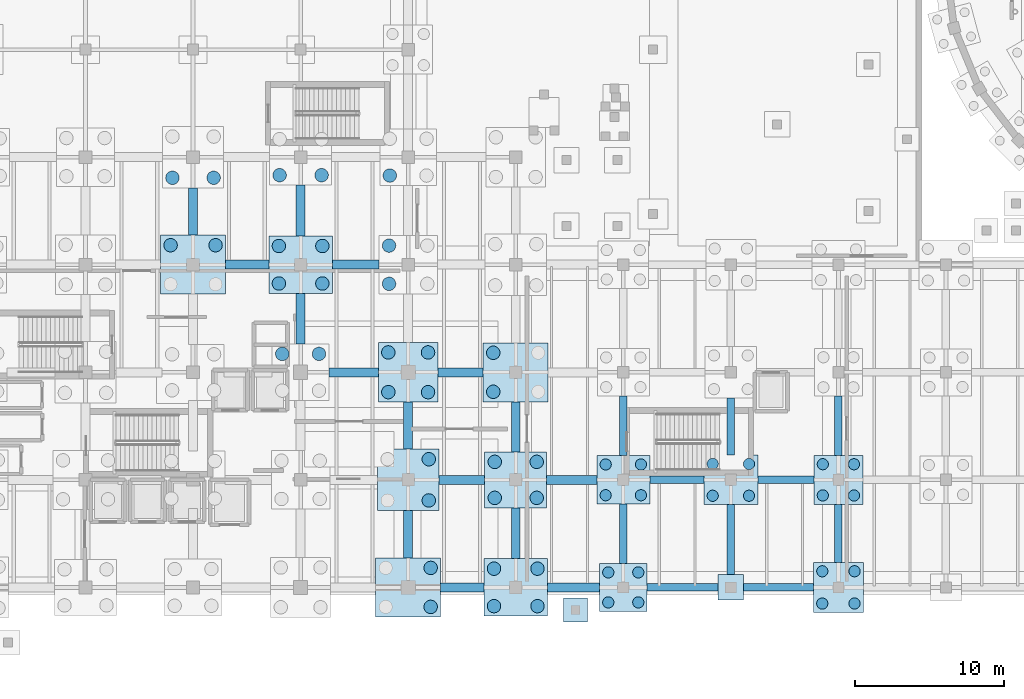
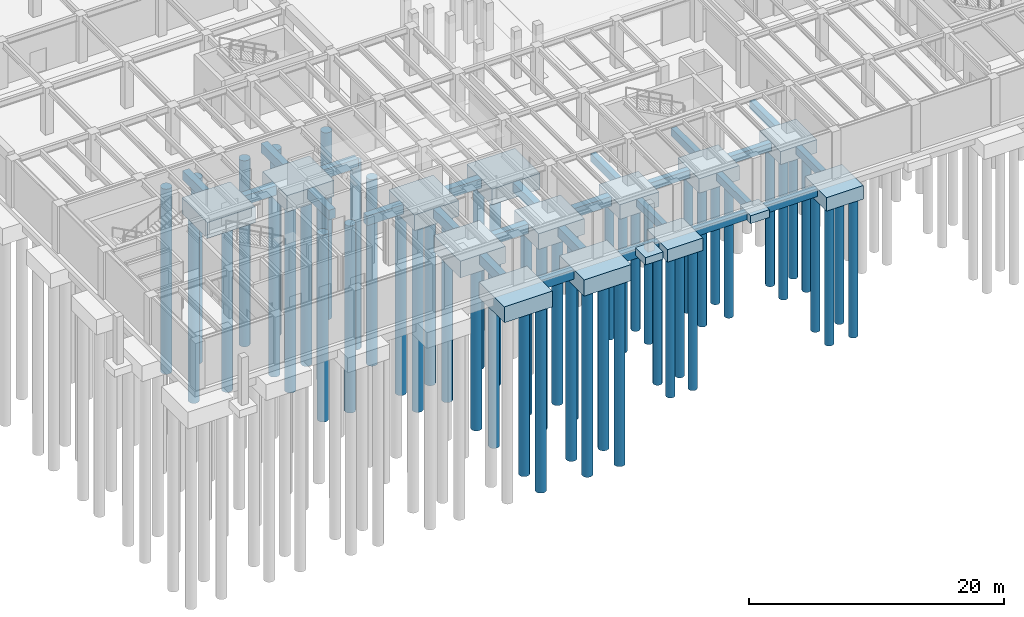
# One storey, part 2 of 26: 53 piles, 40 footings.
"""IFC4 building model written with IfcOpenShell, lengths in metres."""

from ifc_helpers import new_model, si_unit, direction, frame, origin, origin_2d, place, context, subcontext, project, spatial, rectangle, circle, extrude, material, material_profile, profile_set, type_object, element, save


model = new_model("IFC4")

# Units and contexts
model_context = context("Model", 3, precision=1e-05, world=origin(), true_north=direction((0.0, 1.0)))
body_context = subcontext(model_context, "Body", "Model", "MODEL_VIEW")
ifc_project = project(units=[si_unit("LENGTHUNIT", "METRE"), si_unit("AREAUNIT", "SQUARE_METRE"), si_unit("VOLUMEUNIT", "CUBIC_METRE"), si_unit("PLANEANGLEUNIT", "RADIAN"), si_unit("MASSUNIT", "GRAM", prefix="KILO")], contexts=[model_context])

# Site, building, storey
site_placement = place(None, origin())
site = spatial("IfcSite", under=ifc_project, at=site_placement, CompositionType="ELEMENT")
building_placement = place(site_placement, origin())
building = spatial("IfcBuilding", under=site, at=building_placement, Name="Kandorven Conservatory and Botanical Research Centre", CompositionType="ELEMENT")
storey_placement = place(building_placement, frame((0.0, 0.0, -4.800048828125)))
storey = spatial("IfcBuildingStorey", under=building, at=storey_placement, Name="B01", CompositionType="ELEMENT", Elevation=-4.800048828125)

# Footings
ifc_material_1 = material(Name="Concrete C32/40 (M40)", Category="concrete")
ifc_material_profile_1 = material_profile(ifc_material_1, rectangle(XDim=0.60009765625, YDim=0.89990234375, at=origin_2d()))
ifc_profile_set_1 = profile_set([ifc_material_profile_1], Name="Concrete C32/40 (M40)")
footing_type_1 = type_object("IfcFootingType", Name="GroundBeam_GB-01", PredefinedType="FOOTING_BEAM", material=ifc_profile_set_1)
footing_1_placement = place(storey_placement, frame((22.574951171875, 27.60009765625, -0.949951171875), z_axis=(1.0, 0.0, 0.0), x_axis=(0.0, 1.0, 0.0)))
element("IfcFooting", 1, at=footing_1_placement, inside=storey, type_object=footing_type_1, Name="Ground tie beam GB-01 X-029", PredefinedType="FOOTING_BEAM", context=body_context, shape_type="SweptSolid", body=[
    extrude(rectangle(XDim=0.60009765625, YDim=0.89990234375, at=origin_2d()), origin(), (0.0, 0.0, 1.0), 2.900146484375),
])
footing_2_placement = place(storey_placement, frame((20.39990234375, 29.574951171875, -0.949951171875), z_axis=(0.0, 1.0, 0.0), x_axis=(-1.0, 0.0, 0.0)))
element("IfcFooting", 2, at=footing_2_placement, inside=storey, type_object=footing_type_1, Name="Ground tie beam GB-01 Y-030", PredefinedType="FOOTING_BEAM", context=body_context, shape_type="SweptSolid", body=[
    extrude(rectangle(XDim=0.60009765625, YDim=0.89990234375, at=origin_2d()), origin(), (0.0, 0.0, 1.0), 3.175048828125),
])
footing_3_placement = place(storey_placement, frame((29.5, 20.39990234375, -0.949951171875), z_axis=(1.0, 0.0, 0.0), x_axis=(0.0, 1.0, 0.0)))
element("IfcFooting", 3, at=footing_3_placement, inside=storey, type_object=footing_type_1, Name="Ground tie beam GB-01 X-036", PredefinedType="FOOTING_BEAM", context=body_context, shape_type="SweptSolid", body=[
    extrude(rectangle(XDim=0.60009765625, YDim=0.89990234375, at=origin_2d()), origin(), (0.0, 0.0, 1.0), 3.300048828125),
])
footing_4_placement = place(storey_placement, frame((27.60009765625, 22.300048828125, -0.949951171875), z_axis=(0.0, 1.0, 0.0), x_axis=(-1.0, 0.0, 0.0)))
element("IfcFooting", 4, at=footing_4_placement, inside=storey, type_object=footing_type_1, Name="Ground tie beam GB-01 Y-037", PredefinedType="FOOTING_BEAM", context=body_context, shape_type="SweptSolid", body=[
    extrude(rectangle(XDim=0.60009765625, YDim=0.89990234375, at=origin_2d()), origin(), (0.0, 0.0, 1.0), 3.375),
])
footing_5_placement = place(storey_placement, frame((29.72509765625, 27.60009765625, -0.949951171875), z_axis=(1.0, 0.0, 0.0), x_axis=(0.0, 1.0, 0.0)))
element("IfcFooting", 5, at=footing_5_placement, inside=storey, type_object=footing_type_1, Name="Ground tie beam GB-01 X-038", PredefinedType="FOOTING_BEAM", context=body_context, shape_type="SweptSolid", body=[
    extrude(rectangle(XDim=0.60009765625, YDim=0.89990234375, at=origin_2d()), origin(), (0.0, 0.0, 1.0), 3.125),
])
footing_6_placement = place(storey_placement, frame((27.60009765625, 29.52490234375, -0.949951171875), z_axis=(0.0, 1.0, 0.0), x_axis=(-1.0, 0.0, 0.0)))
element("IfcFooting", 6, at=footing_6_placement, inside=storey, type_object=footing_type_1, Name="Ground tie beam GB-01 Y-039", PredefinedType="FOOTING_BEAM", context=body_context, shape_type="SweptSolid", body=[
    extrude(rectangle(XDim=0.60009765625, YDim=0.89990234375, at=origin_2d()), origin(), (0.0, 0.0, 1.0), 3.400146484375),
])
footing_7_placement = place(storey_placement, frame((36.97509765625, 6.0, -0.949951171875), z_axis=(1.0, 0.0, 0.0), x_axis=(0.0, 1.0, 0.0)))
element("IfcFooting", 7, at=footing_7_placement, inside=storey, type_object=footing_type_1, Name="Ground tie beam GB-01 X-041", PredefinedType="FOOTING_BEAM", context=body_context, shape_type="SweptSolid", body=[
    extrude(rectangle(XDim=0.60009765625, YDim=0.89990234375, at=origin_2d()), origin(), (0.0, 0.0, 1.0), 2.89990234375),
])
footing_8_placement = place(storey_placement, frame((34.800048828125, 7.97509765625, -0.949951171875), z_axis=(0.0, 1.0, 0.0), x_axis=(-1.0, 0.0, 0.0)))
element("IfcFooting", 8, at=footing_8_placement, inside=storey, type_object=footing_type_1, Name="Ground tie beam GB-01 Y-042", PredefinedType="FOOTING_BEAM", context=body_context, shape_type="SweptSolid", body=[
    extrude(rectangle(XDim=0.60009765625, YDim=0.89990234375, at=origin_2d()), origin(), (0.0, 0.0, 1.0), 3.1748046875),
])
footing_9_placement = place(storey_placement, frame((36.85009765625, 13.199951171875, -0.949951171875), z_axis=(1.0, 0.0, 0.0), x_axis=(0.0, 1.0, 0.0)))
element("IfcFooting", 9, at=footing_9_placement, inside=storey, type_object=footing_type_1, Name="Ground tie beam GB-01 X-043", PredefinedType="FOOTING_BEAM", context=body_context, shape_type="SweptSolid", body=[
    extrude(rectangle(XDim=0.60009765625, YDim=0.89990234375, at=origin_2d()), origin(), (0.0, 0.0, 1.0), 3.074951171875),
])
footing_10_placement = place(storey_placement, frame((34.800048828125, 15.25, -0.949951171875), z_axis=(0.0, 1.0, 0.0), x_axis=(-1.0, 0.0, 0.0)))
element("IfcFooting", 10, at=footing_10_placement, inside=storey, type_object=footing_type_1, Name="Ground tie beam GB-01 Y-044", PredefinedType="FOOTING_BEAM", context=body_context, shape_type="SweptSolid", body=[
    extrude(rectangle(XDim=0.60009765625, YDim=0.89990234375, at=origin_2d()), origin(), (0.0, 0.0, 1.0), 3.14990234375),
])
footing_11_placement = place(storey_placement, frame((36.800048828125, 20.39990234375, -0.949951171875), z_axis=(1.0, 0.0, 0.0), x_axis=(0.0, 1.0, 0.0)))
element("IfcFooting", 11, at=footing_11_placement, inside=storey, type_object=footing_type_1, Name="Ground tie beam GB-01 X-045", PredefinedType="FOOTING_BEAM", context=body_context, shape_type="SweptSolid", body=[
    extrude(rectangle(XDim=0.60009765625, YDim=0.89990234375, at=origin_2d()), origin(), (0.0, 0.0, 1.0), 3.02490234375),
])
footing_12_placement = place(storey_placement, frame((44.125, 6.0, -0.949951171875), z_axis=(1.0, 0.0, 0.0), x_axis=(0.0, 1.0, 0.0)))
element("IfcFooting", 12, at=footing_12_placement, inside=storey, type_object=footing_type_1, Name="Ground tie beam GB-01 X-054", PredefinedType="FOOTING_BEAM", context=body_context, shape_type="SweptSolid", body=[
    extrude(rectangle(XDim=0.60009765625, YDim=0.89990234375, at=origin_2d()), origin(), (0.0, 0.0, 1.0), 3.47509765625),
])
footing_13_placement = place(storey_placement, frame((42.0, 7.925048828125, -0.949951171875), z_axis=(0.0, 1.0, 0.0), x_axis=(-1.0, 0.0, 0.0)))
element("IfcFooting", 13, at=footing_13_placement, inside=storey, type_object=footing_type_1, Name="Ground tie beam GB-01 Y-055", PredefinedType="FOOTING_BEAM", context=body_context, shape_type="SweptSolid", body=[
    extrude(rectangle(XDim=0.60009765625, YDim=0.89990234375, at=origin_2d()), origin(), (0.0, 0.0, 1.0), 3.39990234375),
])
for number, where, z_axis, x_axis, name in (
    (14, (44.074951171875, 13.199951171875, -0.949951171875), (1.0, 0.0, 0.0), (0.0, 1.0, 0.0), "Ground tie beam GB-01 X-056"),
    (15, (42.0, 15.074951171875, -0.949951171875), (0.0, 1.0, 0.0), (-1.0, 0.0, 0.0), "Ground tie beam GB-01 Y-057"),
):
    element("IfcFooting", number, at=place(storey_placement, frame(where, z_axis=z_axis, x_axis=x_axis)), inside=storey, type_object=footing_type_1, Name=name, PredefinedType="FOOTING_BEAM", context=body_context, shape_type="SweptSolid", body=[
        extrude(rectangle(XDim=0.60009765625, YDim=0.89990234375, at=origin_2d()), origin(), (0.0, 0.0, 1.0), 3.35009765625),
    ])
ifc_material_2 = material(Name="Concrete C32/40 (M40)", Category="concrete")
ifc_material_profile_2 = material_profile(ifc_material_2, rectangle(XDim=0.5, YDim=0.75, at=origin_2d()))
ifc_profile_set_2 = profile_set([ifc_material_profile_2], Name="Concrete C32/40 (M40)")
footing_type_2 = type_object("IfcFootingType", Name="GroundBeam_GB-02", PredefinedType="FOOTING_BEAM", material=ifc_profile_set_2)
footing_14_placement = place(storey_placement, frame((50.800048828125, 6.0, -0.875), z_axis=(1.0, 0.0, 0.0), x_axis=(0.0, 1.0, 0.0)))
element("IfcFooting", 16, at=footing_14_placement, inside=storey, type_object=footing_type_2, Name="Ground tie beam GB-02 X-062", PredefinedType="FOOTING_BEAM", context=body_context, shape_type="SweptSolid", body=[
    extrude(rectangle(XDim=0.5, YDim=0.75, at=origin_2d()), origin(), (0.0, 0.0, 1.0), 4.75),
])
footing_15_placement = place(storey_placement, frame((49.199951171875, 7.60009765625, -0.875), z_axis=(0.0, 1.0, 0.0), x_axis=(-1.0, 0.0, 0.0)))
element("IfcFooting", 17, at=footing_15_placement, inside=storey, type_object=footing_type_2, Name="Ground tie beam GB-02 Y-063", PredefinedType="FOOTING_BEAM", context=body_context, shape_type="SweptSolid", body=[
    extrude(rectangle(XDim=0.5, YDim=0.75, at=origin_2d()), origin(), (0.0, 0.0, 1.0), 3.974853515625),
])
footing_16_placement = place(storey_placement, frame((50.97509765625, 13.199951171875, -0.875), z_axis=(1.0, 0.0, 0.0), x_axis=(0.0, 1.0, 0.0)))
element("IfcFooting", 18, at=footing_16_placement, inside=storey, type_object=footing_type_2, Name="Ground tie beam GB-02 X-064", PredefinedType="FOOTING_BEAM", context=body_context, shape_type="SweptSolid", body=[
    extrude(rectangle(XDim=0.5, YDim=0.75, at=origin_2d()), origin(), (0.0, 0.0, 1.0), 3.614990234375),
])
footing_17_placement = place(storey_placement, frame((49.199951171875, 14.824951171875, -0.875), z_axis=(0.0, 1.0, 0.0), x_axis=(-1.0, 0.0, 0.0)))
element("IfcFooting", 19, at=footing_17_placement, inside=storey, type_object=footing_type_2, Name="Ground tie beam GB-02 Y-065", PredefinedType="FOOTING_BEAM", context=body_context, shape_type="SweptSolid", body=[
    extrude(rectangle(XDim=0.5, YDim=0.75, at=origin_2d()), origin(), (0.0, 0.0, 1.0), 3.985107421875),
])
footing_18_placement = place(storey_placement, frame((57.25, 6.0, -0.875), z_axis=(1.0, 0.0, 0.0), x_axis=(0.0, 1.0, 0.0)))
element("IfcFooting", 20, at=footing_18_placement, inside=storey, type_object=footing_type_2, Name="Ground tie beam GB-02 X-070", PredefinedType="FOOTING_BEAM", context=body_context, shape_type="SweptSolid", body=[
    extrude(rectangle(XDim=0.5, YDim=0.75, at=origin_2d()), origin(), (0.0, 0.0, 1.0), 4.675048828125),
])
footing_19_placement = place(storey_placement, frame((56.39990234375, 6.85009765625, -0.875), z_axis=(0.0, 1.0, 0.0), x_axis=(-1.0, 0.0, 0.0)))
element("IfcFooting", 21, at=footing_19_placement, inside=storey, type_object=footing_type_2, Name="Ground tie beam GB-02 Y-071", PredefinedType="FOOTING_BEAM", context=body_context, shape_type="SweptSolid", body=[
    extrude(rectangle(XDim=0.5, YDim=0.75, at=origin_2d()), origin(), (0.0, 0.0, 1.0), 4.68994140625),
])
footing_20_placement = place(storey_placement, frame((58.2099609375, 13.199951171875, -0.875), z_axis=(1.0, 0.0, 0.0), x_axis=(0.0, 1.0, 0.0)))
element("IfcFooting", 22, at=footing_20_placement, inside=storey, type_object=footing_type_2, Name="Ground tie beam GB-02 X-072", PredefinedType="FOOTING_BEAM", context=body_context, shape_type="SweptSolid", body=[
    extrude(rectangle(XDim=0.5, YDim=0.75, at=origin_2d()), origin(), (0.0, 0.0, 1.0), 3.75),
])
footing_21_placement = place(storey_placement, frame((56.39990234375, 14.860107421875, -0.875), z_axis=(0.0, 1.0, 0.0), x_axis=(-1.0, 0.0, 0.0)))
element("IfcFooting", 23, at=footing_21_placement, inside=storey, type_object=footing_type_2, Name="Ground tie beam GB-02 Y-073", PredefinedType="FOOTING_BEAM", context=body_context, shape_type="SweptSolid", body=[
    extrude(rectangle(XDim=0.5, YDim=0.75, at=origin_2d()), origin(), (0.0, 0.0, 1.0), 3.81494140625),
])
footing_22_placement = place(storey_placement, frame((63.60009765625, 7.675048828125, -0.875), z_axis=(0.0, 1.0, 0.0), x_axis=(-1.0, 0.0, 0.0)))
element("IfcFooting", 24, at=footing_22_placement, inside=storey, type_object=footing_type_2, Name="Ground tie beam GB-02 Y-078", PredefinedType="FOOTING_BEAM", context=body_context, shape_type="SweptSolid", body=[
    extrude(rectangle(XDim=0.5, YDim=0.75, at=origin_2d()), origin(), (0.0, 0.0, 1.0), 3.885009765625),
])
footing_23_placement = place(storey_placement, frame((63.60009765625, 14.840087890625, -0.875), z_axis=(0.0, 1.0, 0.0), x_axis=(-1.0, 0.0, 0.0)))
element("IfcFooting", 25, at=footing_23_placement, inside=storey, type_object=footing_type_2, Name="Ground tie beam GB-02 Y-080", PredefinedType="FOOTING_BEAM", context=body_context, shape_type="SweptSolid", body=[
    extrude(rectangle(XDim=0.5, YDim=0.75, at=origin_2d()), origin(), (0.0, 0.0, 1.0), 3.9599609375),
])
ifc_material_3 = material(Name="Concrete C32/40 (M40)", Category="concrete")
footing_type_3 = type_object("IfcFootingType", Name="PadFooting_PF-03", PredefinedType="PAD_FOOTING", material=ifc_material_3)
footing_24_placement = place(storey_placement, frame((56.39990234375, 6.0, -1.25), z_axis=(0.0, 0.0, 1.0), x_axis=(1.0, 0.0, 0.0)))
element("IfcFooting", 26, at=footing_24_placement, inside=storey, type_object=footing_type_3, Name="Pad footing PF-03 at V-3-1", PredefinedType="PAD_FOOTING", context=body_context, shape_type="SweptSolid", body=[
    extrude(rectangle(XDim=1.699951171875, YDim=1.699951171875, at=origin_2d()), origin(), (0.0, 0.0, 1.0), 0.75),
])
ifc_material_4 = material(Name="Concrete C32/40 (M40)", Category="concrete")
footing_type_4 = type_object("IfcFootingType", Name="PadFooting_PF-04", PredefinedType="PAD_FOOTING", material=ifc_material_4)
footing_25_placement = place(storey_placement, frame((46.0, 4.5, -0.69970703125), z_axis=(0.0, 0.0, 1.0), x_axis=(1.0, 0.0, 0.0)))
element("IfcFooting", 27, at=footing_25_placement, inside=storey, type_object=footing_type_4, Name="Grade apron pad footing SLAB-EXT-SOUTH-PLAZA-2", PredefinedType="PAD_FOOTING", context=body_context, shape_type="SweptSolid", body=[
    extrude(rectangle(XDim=1.60009765625, YDim=1.60009765625, at=origin_2d()), origin(), (0.0, 0.0, 1.0), 0.699951171875),
])
ifc_material_5 = material(Name="Concrete C32/40 (M40)", Category="concrete")
footing_type_5 = type_object("IfcFootingType", Name="PileCap_PC-01", PredefinedType="PILE_CAP", material=ifc_material_5)
footing_26_placement = place(storey_placement, frame((34.800048828125, 13.199951171875, -2.10009765625), z_axis=(0.0, 0.0, 1.0), x_axis=(1.0, 0.0, 0.0)))
element("IfcFooting", 28, at=footing_26_placement, inside=storey, type_object=footing_type_5, Name="Pile cap PC-01 at T-5-2", PredefinedType="PILE_CAP", context=body_context, shape_type="SweptSolid", body=[
    extrude(rectangle(XDim=4.10009765625, YDim=4.10009765625, at=origin_2d()), origin(), (0.0, 0.0, 1.0), 1.60009765625),
])
ifc_material_6 = material(Name="Concrete C32/40 (M40)", Category="concrete")
footing_type_6 = type_object("IfcFootingType", Name="PileCap_PC-02", PredefinedType="PILE_CAP", material=ifc_material_6)
footing_27_placement = place(storey_placement, frame((34.800048828125, 20.39990234375, -2.0), z_axis=(0.0, 0.0, 1.0), x_axis=(1.0, 0.0, 0.0)))
element("IfcFooting", 29, at=footing_27_placement, inside=storey, type_object=footing_type_6, Name="Pile cap PC-02 at T-5-3", PredefinedType="PILE_CAP", context=body_context, shape_type="SweptSolid", body=[
    extrude(rectangle(XDim=4.0, YDim=4.0, at=origin_2d()), origin(), (0.0, 0.0, 1.0), 1.5),
])
ifc_material_7 = material(Name="Concrete C32/40 (M40)", Category="concrete")
footing_type_7 = type_object("IfcFootingType", Name="PileCap_PC-06", PredefinedType="PILE_CAP", material=ifc_material_7)
footing_28_placement = place(storey_placement, frame((63.60009765625, 6.0, -1.7998046875), z_axis=(0.0, 0.0, 1.0), x_axis=(1.0, 0.0, 0.0)))
element("IfcFooting", 30, at=footing_28_placement, inside=storey, type_object=footing_type_7, Name="Pile cap PC-06 at V-4-1", PredefinedType="PILE_CAP", context=body_context, shape_type="SweptSolid", body=[
    extrude(rectangle(XDim=3.35009765625, YDim=3.35009765625, at=origin_2d()), origin(), (0.0, 0.0, 1.0), 1.300048828125),
])
ifc_material_8 = material(Name="Concrete C32/40 (M40)", Category="concrete")
footing_type_8 = type_object("IfcFootingType", Name="PileCap_PC-07", PredefinedType="PILE_CAP", material=ifc_material_8)
footing_29_placement = place(storey_placement, frame((63.60009765625, 13.199951171875, -1.75), z_axis=(0.0, 0.0, 1.0), x_axis=(1.0, 0.0, 0.0)))
element("IfcFooting", 31, at=footing_29_placement, inside=storey, type_object=footing_type_8, Name="Pile cap PC-07 at V-4-2", PredefinedType="PILE_CAP", context=body_context, shape_type="SweptSolid", body=[
    extrude(rectangle(XDim=3.280029296875, YDim=3.280029296875, at=origin_2d()), origin(), (0.0, 0.0, 1.0), 1.25),
])
ifc_material_9 = material(Name="Concrete C32/40 (M40)", Category="concrete")
footing_type_9 = type_object("IfcFootingType", Name="PileCap_PC-08", PredefinedType="PILE_CAP", material=ifc_material_9)
footing_30_placement = place(storey_placement, frame((49.199951171875, 6.0, -1.69970703125), z_axis=(0.0, 0.0, 1.0), x_axis=(1.0, 0.0, 0.0)))
element("IfcFooting", 32, at=footing_30_placement, inside=storey, type_object=footing_type_9, Name="Pile cap PC-08 at V-2-1", PredefinedType="PILE_CAP", context=body_context, shape_type="SweptSolid", body=[
    extrude(rectangle(XDim=3.199951171875, YDim=3.199951171875, at=origin_2d()), origin(), (0.0, 0.0, 1.0), 1.199951171875),
])
ifc_material_10 = material(Name="Concrete C32/40 (M40)", Category="concrete")
footing_type_10 = type_object("IfcFootingType", Name="PileCap_PC-12", PredefinedType="PILE_CAP", material=ifc_material_10)
for number, where, z_axis, x_axis, name in (
    (33, (27.60009765625, 27.60009765625, -2.0498046875), (0.0, 0.0, 1.0), (1.0, 0.0, 0.0), "Pile cap PC-12 at T-4-4"),
    (34, (42.0, 6.0, -2.0498046875), (0.0, 0.0, 1.0), (1.0, 0.0, 0.0), "Pile cap PC-12 at T-6-1"),
):
    element("IfcFooting", number, at=place(storey_placement, frame(where, z_axis=z_axis, x_axis=x_axis)), inside=storey, type_object=footing_type_10, Name=name, PredefinedType="PILE_CAP", context=body_context, shape_type="SweptSolid", body=[
        extrude(rectangle(XDim=4.25, YDim=3.85009765625, at=origin_2d()), origin(), (0.0, 0.0, 1.0), 1.550048828125),
    ])
ifc_material_11 = material(Name="Concrete C32/40 (M40)", Category="concrete")
footing_type_11 = type_object("IfcFootingType", Name="PileCap_PC-13", PredefinedType="PILE_CAP", material=ifc_material_11)
footing_31_placement = place(storey_placement, frame((42.0, 13.199951171875, -2.0), z_axis=(0.0, 0.0, 1.0), x_axis=(1.0, 0.0, 0.0)))
element("IfcFooting", 35, at=footing_31_placement, inside=storey, type_object=footing_type_11, Name="Pile cap PC-13 at T-6-2", PredefinedType="PILE_CAP", context=body_context, shape_type="SweptSolid", body=[
    extrude(rectangle(XDim=4.14990234375, YDim=3.75, at=origin_2d()), origin(), (0.0, 0.0, 1.0), 1.5),
])
ifc_material_12 = material(Name="Concrete C32/40 (M40)", Category="concrete")
footing_type_12 = type_object("IfcFootingType", Name="PileCap_PC-14", PredefinedType="PILE_CAP", material=ifc_material_12)
footing_32_placement = place(storey_placement, frame((49.199951171875, 13.199951171875, -1.89990234375), z_axis=(0.0, 0.0, 1.0), x_axis=(1.0, 0.0, 0.0)))
element("IfcFooting", 36, at=footing_32_placement, inside=storey, type_object=footing_type_12, Name="Pile cap PC-14 at V-2-2", PredefinedType="PILE_CAP", context=body_context, shape_type="SweptSolid", body=[
    extrude(rectangle(XDim=3.550048828125, YDim=3.25, at=origin_2d()), origin(), (0.0, 0.0, 1.0), 1.39990234375),
])
ifc_material_13 = material(Name="Concrete C32/40 (M40)", Category="concrete")
footing_type_13 = type_object("IfcFootingType", Name="PileCap_PC-19", PredefinedType="PILE_CAP", material=ifc_material_13)
for number, where, z_axis, x_axis, name in (
    (37, (20.39990234375, 27.60009765625, -2.02001953125), (0.0, 0.0, 1.0), (1.0, 0.0, 0.0), "Pile cap PC-19 at T-3-4"),
    (38, (34.800048828125, 6.0, -2.02001953125), (0.0, 0.0, 1.0), (1.0, 0.0, 0.0), "Pile cap PC-19 at T-5-1"),
    (39, (42.0, 20.39990234375, -2.02001953125), (0.0, 0.0, 1.0), (1.0, 0.0, 0.0), "Pile cap PC-19 at T-6-3"),
):
    element("IfcFooting", number, at=place(storey_placement, frame(where, z_axis=z_axis, x_axis=x_axis)), inside=storey, type_object=footing_type_13, Name=name, PredefinedType="PILE_CAP", context=body_context, shape_type="SweptSolid", body=[
        extrude(rectangle(XDim=4.35009765625, YDim=3.949951171875, at=origin_2d()), origin(), (0.0, 0.0, 1.0), 1.52001953125),
    ])
ifc_material_14 = material(Name="Concrete C32/40 (M40)", Category="concrete")
footing_type_14 = type_object("IfcFootingType", Name="PileCap_PC-20", PredefinedType="PILE_CAP", material=ifc_material_14)
footing_33_placement = place(storey_placement, frame((56.39990234375, 13.199951171875, -1.8798828125), z_axis=(0.0, 0.0, 1.0), x_axis=(1.0, 0.0, 0.0)))
element("IfcFooting", 40, at=footing_33_placement, inside=storey, type_object=footing_type_14, Name="Pile cap PC-20 at V-3-2", PredefinedType="PILE_CAP", context=body_context, shape_type="SweptSolid", body=[
    extrude(rectangle(XDim=3.6201171875, YDim=3.320068359375, at=origin_2d()), origin(), (0.0, 0.0, 1.0), 1.3798828125),
])

# Piles
ifc_material_15 = material(Name="Concrete C32/40 (M40)", Category="concrete")
ifc_material_profile_3 = material_profile(ifc_material_15, circle(Radius=0.375, at=origin_2d()))
ifc_profile_set_3 = profile_set([ifc_material_profile_3], Name="Concrete C32/40 (M40)")
pile_type_1 = type_object("IfcPileType", Name="Pile_PILE_D750", PredefinedType="BORED", material=ifc_profile_set_3)
for number, where, z_axis, x_axis, name in (
    (41, (48.195068359375, 4.9951171875, -1.599853515625), (0.0, 0.0, -1.0), (1.0, 0.0, 0.0), "Bored pile V-2-1-1"),
    (42, (48.195068359375, 7.0048828125, -1.599853515625), (0.0, 0.0, -1.0), (1.0, 0.0, 0.0), "Bored pile V-2-1-2"),
    (43, (50.205078125, 4.9951171875, -1.599853515625), (0.0, 0.0, -1.0), (1.0, 0.0, 0.0), "Bored pile V-2-1-3"),
    (44, (50.205078125, 7.0048828125, -1.599853515625), (0.0, 0.0, -1.0), (1.0, 0.0, 0.0), "Bored pile V-2-1-4"),
):
    element("IfcPile", number, at=place(storey_placement, frame(where, z_axis=z_axis, x_axis=x_axis)), inside=storey, type_object=pile_type_1, Name=name, PredefinedType="BORED", context=body_context, shape_type="SweptSolid", body=[
        extrude(circle(Radius=0.375, at=origin_2d()), origin(), (0.0, 0.0, 1.0), 13.39990234375),
    ])
for number, where, z_axis, x_axis, name in (
    (45, (48.02001953125, 12.169921875, -1.800048828125), (0.0, 0.0, -1.0), (1.0, 0.0, 0.0), "Bored pile V-2-2-1"),
    (46, (48.02001953125, 14.22998046875, -1.800048828125), (0.0, 0.0, -1.0), (1.0, 0.0, 0.0), "Bored pile V-2-2-2"),
    (47, (50.3798828125, 12.169921875, -1.800048828125), (0.0, 0.0, -1.0), (1.0, 0.0, 0.0), "Bored pile V-2-2-3"),
    (48, (50.3798828125, 14.22998046875, -1.800048828125), (0.0, 0.0, -1.0), (1.0, 0.0, 0.0), "Bored pile V-2-2-4"),
):
    element("IfcPile", number, at=place(storey_placement, frame(where, z_axis=z_axis, x_axis=x_axis)), inside=storey, type_object=pile_type_1, Name=name, PredefinedType="BORED", context=body_context, shape_type="SweptSolid", body=[
        extrude(circle(Radius=0.375, at=origin_2d()), origin(), (0.0, 0.0, 1.0), 13.199951171875),
    ])
for number, where, z_axis, x_axis, name in (
    (49, (55.18505859375, 12.135009765625, -1.780029296875), (0.0, 0.0, -1.0), (1.0, 0.0, 0.0), "Bored pile V-3-2-1"),
    (50, (55.18505859375, 14.264892578125, -1.780029296875), (0.0, 0.0, -1.0), (1.0, 0.0, 0.0), "Bored pile V-3-2-2"),
    (51, (57.614990234375, 12.135009765625, -1.780029296875), (0.0, 0.0, -1.0), (1.0, 0.0, 0.0), "Bored pile V-3-2-3"),
    (52, (57.614990234375, 14.264892578125, -1.780029296875), (0.0, 0.0, -1.0), (1.0, 0.0, 0.0), "Bored pile V-3-2-4"),
):
    element("IfcPile", number, at=place(storey_placement, frame(where, z_axis=z_axis, x_axis=x_axis)), inside=storey, type_object=pile_type_1, Name=name, PredefinedType="BORED", context=body_context, shape_type="SweptSolid", body=[
        extrude(circle(Radius=0.375, at=origin_2d()), origin(), (0.0, 0.0, 1.0), 13.219970703125),
    ])
for number, where, z_axis, x_axis, name in (
    (53, (62.52001953125, 4.919921875, -1.699951171875), (0.0, 0.0, -1.0), (1.0, 0.0, 0.0), "Bored pile V-4-1-1"),
    (54, (62.52001953125, 7.080078125, -1.699951171875), (0.0, 0.0, -1.0), (1.0, 0.0, 0.0), "Bored pile V-4-1-2"),
    (55, (64.679931640625, 4.919921875, -1.699951171875), (0.0, 0.0, -1.0), (1.0, 0.0, 0.0), "Bored pile V-4-1-3"),
    (56, (64.679931640625, 7.080078125, -1.699951171875), (0.0, 0.0, -1.0), (1.0, 0.0, 0.0), "Bored pile V-4-1-4"),
):
    element("IfcPile", number, at=place(storey_placement, frame(where, z_axis=z_axis, x_axis=x_axis)), inside=storey, type_object=pile_type_1, Name=name, PredefinedType="BORED", context=body_context, shape_type="SweptSolid", body=[
        extrude(circle(Radius=0.375, at=origin_2d()), origin(), (0.0, 0.0, 1.0), 13.300048828125),
    ])
for number, where, z_axis, x_axis, name in (
    (57, (62.554931640625, 12.155029296875, -1.64990234375), (0.0, 0.0, -1.0), (1.0, 0.0, 0.0), "Bored pile V-4-2-1"),
    (58, (62.554931640625, 14.2451171875, -1.64990234375), (0.0, 0.0, -1.0), (1.0, 0.0, 0.0), "Bored pile V-4-2-2"),
    (59, (64.64501953125, 12.155029296875, -1.64990234375), (0.0, 0.0, -1.0), (1.0, 0.0, 0.0), "Bored pile V-4-2-3"),
    (60, (64.64501953125, 14.2451171875, -1.64990234375), (0.0, 0.0, -1.0), (1.0, 0.0, 0.0), "Bored pile V-4-2-4"),
):
    element("IfcPile", number, at=place(storey_placement, frame(where, z_axis=z_axis, x_axis=x_axis)), inside=storey, type_object=pile_type_1, Name=name, PredefinedType="BORED", context=body_context, shape_type="SweptSolid", body=[
        extrude(circle(Radius=0.375, at=origin_2d()), origin(), (0.0, 0.0, 1.0), 13.35009765625),
    ])
ifc_material_16 = material(Name="Concrete C32/40 (M40)", Category="concrete")
ifc_material_profile_4 = material_profile(ifc_material_16, circle(Radius=0.449951171875, at=origin_2d()))
ifc_profile_set_4 = profile_set([ifc_material_profile_4], Name="Concrete C32/40 (M40)")
pile_type_2 = type_object("IfcPileType", Name="Pile_PILE_D900", PredefinedType="BORED", material=ifc_profile_set_4)
for number, where, z_axis, x_axis, name in (
    (61, (18.89501953125, 28.905029296875, -1.919921875), (0.0, 0.0, -1.0), (1.0, 0.0, 0.0), "Bored pile T-3-4-2"),
    (62, (21.905029296875, 28.905029296875, -1.919921875), (0.0, 0.0, -1.0), (1.0, 0.0, 0.0), "Bored pile T-3-4-4"),
):
    element("IfcPile", number, at=place(storey_placement, frame(where, z_axis=z_axis, x_axis=x_axis)), inside=storey, type_object=pile_type_2, Name=name, PredefinedType="BORED", context=body_context, shape_type="SweptSolid", body=[
        extrude(circle(Radius=0.449951171875, at=origin_2d()), origin(), (0.0, 0.0, 1.0), 17.780029296875),
    ])
for number, where, z_axis, x_axis, name in (
    (63, (19.02001953125, 33.419921875, -2.0), (0.0, 0.0, -1.0), (1.0, 0.0, 0.0), "Bored pile T-3-5-1"),
    (64, (21.780029296875, 33.419921875, -2.0), (0.0, 0.0, -1.0), (1.0, 0.0, 0.0), "Bored pile T-3-5-3"),
):
    element("IfcPile", number, at=place(storey_placement, frame(where, z_axis=z_axis, x_axis=x_axis)), inside=storey, type_object=pile_type_2, Name=name, PredefinedType="BORED", context=body_context, shape_type="SweptSolid", body=[
        extrude(circle(Radius=0.449951171875, at=origin_2d()), origin(), (0.0, 0.0, 1.0), 17.699951171875),
    ])
for number, where, z_axis, x_axis, name in (
    (65, (26.3701171875, 21.6298828125, -1.800048828125), (0.0, 0.0, -1.0), (1.0, 0.0, 0.0), "Bored pile T-4-3-2"),
    (66, (28.830078125, 21.6298828125, -1.800048828125), (0.0, 0.0, -1.0), (1.0, 0.0, 0.0), "Bored pile T-4-3-4"),
):
    element("IfcPile", number, at=place(storey_placement, frame(where, z_axis=z_axis, x_axis=x_axis)), inside=storey, type_object=pile_type_2, Name=name, PredefinedType="BORED", context=body_context, shape_type="SweptSolid", body=[
        extrude(circle(Radius=0.449951171875, at=origin_2d()), origin(), (0.0, 0.0, 1.0), 17.89990234375),
    ])
for number, where, z_axis, x_axis, name in (
    (67, (26.14501953125, 26.344970703125, -1.949951171875), (0.0, 0.0, -1.0), (1.0, 0.0, 0.0), "Bored pile T-4-4-1"),
    (68, (26.14501953125, 28.85498046875, -1.949951171875), (0.0, 0.0, -1.0), (1.0, 0.0, 0.0), "Bored pile T-4-4-2"),
    (69, (29.054931640625, 26.344970703125, -1.949951171875), (0.0, 0.0, -1.0), (1.0, 0.0, 0.0), "Bored pile T-4-4-3"),
    (70, (29.054931640625, 28.85498046875, -1.949951171875), (0.0, 0.0, -1.0), (1.0, 0.0, 0.0), "Bored pile T-4-4-4"),
):
    element("IfcPile", number, at=place(storey_placement, frame(where, z_axis=z_axis, x_axis=x_axis)), inside=storey, type_object=pile_type_2, Name=name, PredefinedType="BORED", context=body_context, shape_type="SweptSolid", body=[
        extrude(circle(Radius=0.449951171875, at=origin_2d()), origin(), (0.0, 0.0, 1.0), 17.75),
    ])
for number, where, z_axis, x_axis, name in (
    (71, (26.195068359375, 33.594970703125, -1.89990234375), (0.0, 0.0, -1.0), (1.0, 0.0, 0.0), "Bored pile T-4-5-1"),
    (72, (29.0048828125, 33.594970703125, -1.89990234375), (0.0, 0.0, -1.0), (1.0, 0.0, 0.0), "Bored pile T-4-5-3"),
):
    element("IfcPile", number, at=place(storey_placement, frame(where, z_axis=z_axis, x_axis=x_axis)), inside=storey, type_object=pile_type_2, Name=name, PredefinedType="BORED", context=body_context, shape_type="SweptSolid", body=[
        extrude(circle(Radius=0.449951171875, at=origin_2d()), origin(), (0.0, 0.0, 1.0), 17.800048828125),
    ])
for number, where, z_axis, x_axis, name in (
    (73, (36.304931640625, 4.695068359375, -1.919921875), (0.0, 0.0, -1.0), (1.0, 0.0, 0.0), "Bored pile T-5-1-3"),
    (74, (36.304931640625, 7.304931640625, -1.919921875), (0.0, 0.0, -1.0), (1.0, 0.0, 0.0), "Bored pile T-5-1-4"),
):
    element("IfcPile", number, at=place(storey_placement, frame(where, z_axis=z_axis, x_axis=x_axis)), inside=storey, type_object=pile_type_2, Name=name, PredefinedType="BORED", context=body_context, shape_type="SweptSolid", body=[
        extrude(circle(Radius=0.449951171875, at=origin_2d()), origin(), (0.0, 0.0, 1.0), 17.780029296875),
    ])
for number, where, z_axis, x_axis, name in (
    (75, (36.179931640625, 11.820068359375, -2.0), (0.0, 0.0, -1.0), (1.0, 0.0, 0.0), "Bored pile T-5-2-3"),
    (76, (36.179931640625, 14.580078125, -2.0), (0.0, 0.0, -1.0), (1.0, 0.0, 0.0), "Bored pile T-5-2-4"),
):
    element("IfcPile", number, at=place(storey_placement, frame(where, z_axis=z_axis, x_axis=x_axis)), inside=storey, type_object=pile_type_2, Name=name, PredefinedType="BORED", context=body_context, shape_type="SweptSolid", body=[
        extrude(circle(Radius=0.449951171875, at=origin_2d()), origin(), (0.0, 0.0, 1.0), 17.699951171875),
    ])
for number, where, z_axis, x_axis, name in (
    (77, (33.469970703125, 19.070068359375, -1.89990234375), (0.0, 0.0, -1.0), (1.0, 0.0, 0.0), "Bored pile T-5-3-1"),
    (78, (33.469970703125, 21.72998046875, -1.89990234375), (0.0, 0.0, -1.0), (1.0, 0.0, 0.0), "Bored pile T-5-3-2"),
    (79, (36.1298828125, 19.070068359375, -1.89990234375), (0.0, 0.0, -1.0), (1.0, 0.0, 0.0), "Bored pile T-5-3-3"),
    (80, (36.1298828125, 21.72998046875, -1.89990234375), (0.0, 0.0, -1.0), (1.0, 0.0, 0.0), "Bored pile T-5-3-4"),
):
    element("IfcPile", number, at=place(storey_placement, frame(where, z_axis=z_axis, x_axis=x_axis)), inside=storey, type_object=pile_type_2, Name=name, PredefinedType="BORED", context=body_context, shape_type="SweptSolid", body=[
        extrude(circle(Radius=0.449951171875, at=origin_2d()), origin(), (0.0, 0.0, 1.0), 17.800048828125),
    ])
for number, where, z_axis, x_axis, name in (
    (81, (33.52001953125, 26.320068359375, -1.849853515625), (0.0, 0.0, -1.0), (1.0, 0.0, 0.0), "Bored pile T-5-4-1"),
    (82, (33.52001953125, 28.8798828125, -1.849853515625), (0.0, 0.0, -1.0), (1.0, 0.0, 0.0), "Bored pile T-5-4-2"),
):
    element("IfcPile", number, at=place(storey_placement, frame(where, z_axis=z_axis, x_axis=x_axis)), inside=storey, type_object=pile_type_2, Name=name, PredefinedType="BORED", context=body_context, shape_type="SweptSolid", body=[
        extrude(circle(Radius=0.449951171875, at=origin_2d()), origin(), (0.0, 0.0, 1.0), 17.85009765625),
    ])
pile_placement = place(storey_placement, frame((33.570068359375, 33.570068359375, -1.800048828125), z_axis=(0.0, 0.0, -1.0), x_axis=(1.0, 0.0, 0.0)))
element("IfcPile", 83, at=pile_placement, inside=storey, type_object=pile_type_2, Name="Bored pile T-5-5-1", PredefinedType="BORED", context=body_context, shape_type="SweptSolid", body=[
    extrude(circle(Radius=0.449951171875, at=origin_2d()), origin(), (0.0, 0.0, 1.0), 17.89990234375),
])
for number, where, z_axis, x_axis, name in (
    (84, (40.544921875, 4.7451171875, -1.949951171875), (0.0, 0.0, -1.0), (1.0, 0.0, 0.0), "Bored pile T-6-1-1"),
    (85, (40.544921875, 7.2548828125, -1.949951171875), (0.0, 0.0, -1.0), (1.0, 0.0, 0.0), "Bored pile T-6-1-2"),
    (86, (43.455078125, 4.7451171875, -1.949951171875), (0.0, 0.0, -1.0), (1.0, 0.0, 0.0), "Bored pile T-6-1-3"),
    (87, (43.455078125, 7.2548828125, -1.949951171875), (0.0, 0.0, -1.0), (1.0, 0.0, 0.0), "Bored pile T-6-1-4"),
):
    element("IfcPile", number, at=place(storey_placement, frame(where, z_axis=z_axis, x_axis=x_axis)), inside=storey, type_object=pile_type_2, Name=name, PredefinedType="BORED", context=body_context, shape_type="SweptSolid", body=[
        extrude(circle(Radius=0.449951171875, at=origin_2d()), origin(), (0.0, 0.0, 1.0), 17.75),
    ])
for number, where, z_axis, x_axis, name in (
    (88, (40.594970703125, 11.9951171875, -1.89990234375), (0.0, 0.0, -1.0), (1.0, 0.0, 0.0), "Bored pile T-6-2-1"),
    (89, (40.594970703125, 14.405029296875, -1.89990234375), (0.0, 0.0, -1.0), (1.0, 0.0, 0.0), "Bored pile T-6-2-2"),
    (90, (43.405029296875, 11.9951171875, -1.89990234375), (0.0, 0.0, -1.0), (1.0, 0.0, 0.0), "Bored pile T-6-2-3"),
    (91, (43.405029296875, 14.405029296875, -1.89990234375), (0.0, 0.0, -1.0), (1.0, 0.0, 0.0), "Bored pile T-6-2-4"),
):
    element("IfcPile", number, at=place(storey_placement, frame(where, z_axis=z_axis, x_axis=x_axis)), inside=storey, type_object=pile_type_2, Name=name, PredefinedType="BORED", context=body_context, shape_type="SweptSolid", body=[
        extrude(circle(Radius=0.449951171875, at=origin_2d()), origin(), (0.0, 0.0, 1.0), 17.800048828125),
    ])
for number, where, z_axis, x_axis, name in (
    (92, (40.4951171875, 19.094970703125, -1.919921875), (0.0, 0.0, -1.0), (1.0, 0.0, 0.0), "Bored pile T-6-3-1"),
    (93, (40.4951171875, 21.705078125, -1.919921875), (0.0, 0.0, -1.0), (1.0, 0.0, 0.0), "Bored pile T-6-3-2"),
):
    element("IfcPile", number, at=place(storey_placement, frame(where, z_axis=z_axis, x_axis=x_axis)), inside=storey, type_object=pile_type_2, Name=name, PredefinedType="BORED", context=body_context, shape_type="SweptSolid", body=[
        extrude(circle(Radius=0.449951171875, at=origin_2d()), origin(), (0.0, 0.0, 1.0), 17.780029296875),
    ])

save(model, "model.ifc")
